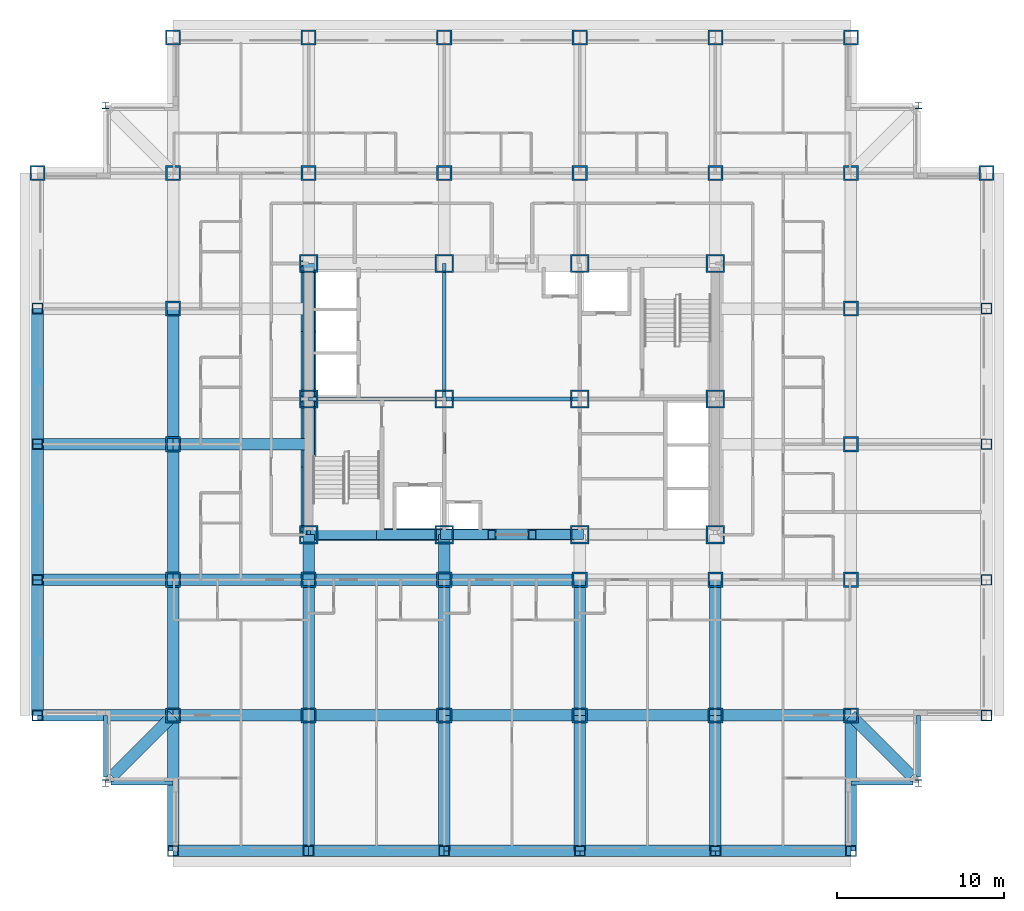
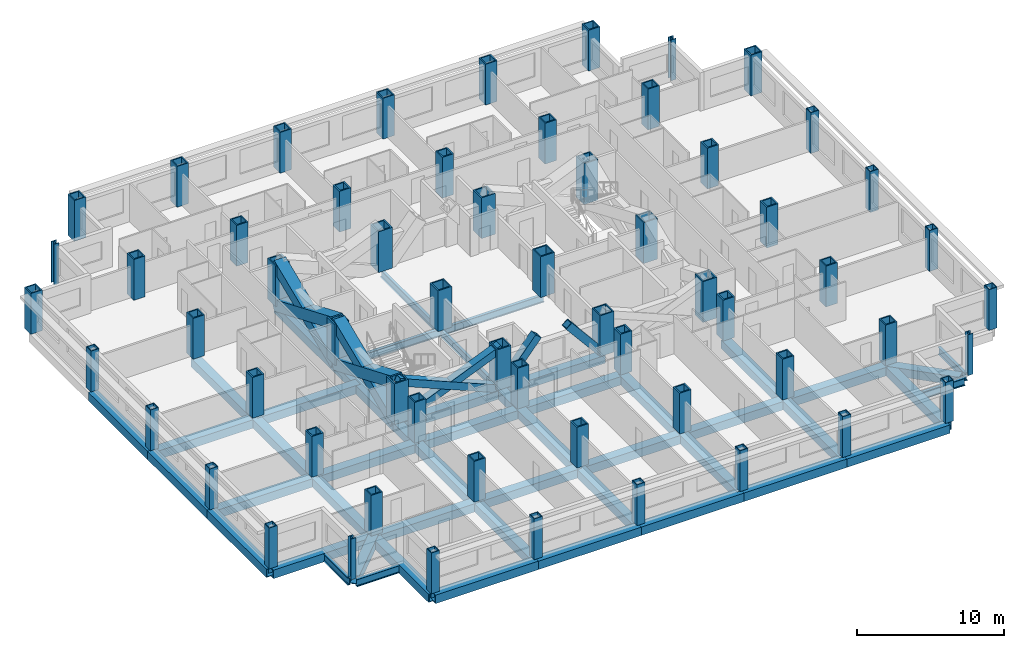
# One storey, part 1 of 12: 60 columns, 49 beams, 8 members.
"""IFC4 building model written with IfcOpenShell, lengths in metres."""

from ifc_helpers import new_model, si_unit, direction, frame, origin, origin_2d, place, context, subcontext, project, spatial, hollow_rectangle, i_section, extrude, material, material_profile, profile_set, type_object, element, save


model = new_model("IFC4")

# Units and contexts
model_context = context("Model", 3, precision=1e-05, world=origin(), true_north=direction((0.0, 1.0)))
body_context = subcontext(model_context, "Body", "Model", "MODEL_VIEW")
ifc_project = project(units=[si_unit("LENGTHUNIT", "METRE"), si_unit("AREAUNIT", "SQUARE_METRE"), si_unit("VOLUMEUNIT", "CUBIC_METRE"), si_unit("PLANEANGLEUNIT", "RADIAN"), si_unit("MASSUNIT", "GRAM", prefix="KILO")], contexts=[model_context])

# Site, building, storey
site_placement = place(None, origin())
site = spatial("IfcSite", under=ifc_project, at=site_placement, CompositionType="ELEMENT")
building_placement = place(site_placement, origin())
building = spatial("IfcBuilding", under=site, at=building_placement, Name="Kopane Lantern Tower", CompositionType="ELEMENT")
storey_placement = place(building_placement, frame((0.0, 0.0, 103.39990234375)))
storey = spatial("IfcBuildingStorey", under=building, at=storey_placement, Name="L25", CompositionType="ELEMENT", Elevation=103.39990234375)

# Columns
ifc_material_1 = material(Name="Steel S355JR", Category="steel")
ifc_material_profile_1 = material_profile(ifc_material_1, hollow_rectangle(XDim=1.10009765625, YDim=1.10009765625, WallThickness=0.10009765625, at=origin_2d()), Name="BOX 1100x1100x100")
ifc_profile_set_1 = profile_set([ifc_material_profile_1], Name="Steel S355JR")
column_type_1 = type_object("IfcColumnType", Name="COLUMN BOX 1100x1100x100", PredefinedType="COLUMN", material=ifc_profile_set_1)
for number, where, z_axis, x_axis, name in (
    (1, (16.199951171875, 24.300048828125, 0.0), (0.0, 0.0, 1.0), (1.0, 0.0, 0.0), "Column 4/E L25"),
    (2, (16.199951171875, 32.39990234375, 0.0), (0.0, 0.0, 1.0), (1.0, 0.0, 0.0), "Column 4/F L25"),
    (3, (16.199951171875, 40.5, 0.0), (0.0, 0.0, 1.0), (1.0, 0.0, 0.0), "Column 4/G L25"),
    (4, (24.300048828125, 24.300048828125, 0.0), (0.0, 0.0, 1.0), (1.0, 0.0, 0.0), "Column 5/E L25"),
    (5, (24.300048828125, 32.39990234375, 0.0), (0.0, 0.0, 1.0), (1.0, 0.0, 0.0), "Column 5/F L25"),
    (6, (24.300048828125, 40.5, 0.0), (0.0, 0.0, 1.0), (1.0, 0.0, 0.0), "Column 5/G L25"),
    (7, (32.39990234375, 24.300048828125, 0.0), (0.0, 0.0, 1.0), (1.0, 0.0, 0.0), "Column 6/E L25"),
    (8, (32.39990234375, 32.39990234375, 0.0), (0.0, 0.0, 1.0), (1.0, 0.0, 0.0), "Column 6/F L25"),
    (9, (32.39990234375, 40.5, 0.0), (0.0, 0.0, 1.0), (1.0, 0.0, 0.0), "Column 6/G L25"),
    (10, (40.5, 24.300048828125, 0.0), (0.0, 0.0, 1.0), (1.0, 0.0, 0.0), "Column 7/E L25"),
    (11, (40.5, 32.39990234375, 0.0), (0.0, 0.0, 1.0), (1.0, 0.0, 0.0), "Column 7/F L25"),
    (12, (40.5, 40.5, 0.0), (0.0, 0.0, 1.0), (1.0, 0.0, 0.0), "Column 7/G L25"),
):
    element("IfcColumn", number, at=place(storey_placement, frame(where, z_axis=z_axis, x_axis=x_axis)), inside=storey, type_object=column_type_1, Name=name, PredefinedType="COLUMN", context=body_context, shape_type="SweptSolid", body=[
        extrude(hollow_rectangle(XDim=1.10009765625, YDim=1.10009765625, WallThickness=0.10009765625, at=origin_2d()), origin(), (0.0, 0.0, 1.0), 3.400146484375),
    ])
ifc_material_2 = material(Name="Steel S355JR", Category="steel")
ifc_material_profile_2 = material_profile(ifc_material_2, hollow_rectangle(XDim=0.64990234375, YDim=0.64990234375, WallThickness=0.054931640625, at=origin_2d()), Name="BOX 650x650x55")
ifc_profile_set_2 = profile_set([ifc_material_profile_2], Name="Steel S355JR")
column_type_2 = type_object("IfcColumnType", Name="COLUMN BOX 650x650x55", PredefinedType="COLUMN", material=ifc_profile_set_2)
for number, where, z_axis, x_axis, name in (
    (13, (0.0, 13.5, 0.0), (0.0, 0.0, 1.0), (1.0, 0.0, 0.0), "Column 2/P2 L25"),
    (14, (0.0, 21.60009765625, 0.0), (0.0, 0.0, 1.0), (1.0, 0.0, 0.0), "Column 2/P3 L25"),
    (15, (0.0, 29.699951171875, 0.0), (0.0, 0.0, 1.0), (1.0, 0.0, 0.0), "Column 2/P4 L25"),
    (16, (0.0, 37.800048828125, 0.0), (0.0, 0.0, 1.0), (1.0, 0.0, 0.0), "Column 2/P5 L25"),
    (17, (8.10009765625, 5.39990234375, 0.0), (0.0, 0.0, 1.0), (1.0, 0.0, 0.0), "Column 3/P1 L25"),
    (18, (16.199951171875, 5.39990234375, 0.0), (0.0, 0.0, 1.0), (1.0, 0.0, 0.0), "Column 4/P1 L25"),
    (19, (24.300048828125, 5.39990234375, 0.0), (0.0, 0.0, 1.0), (1.0, 0.0, 0.0), "Column 5/P1 L25"),
    (20, (32.39990234375, 5.39990234375, 0.0), (0.0, 0.0, 1.0), (1.0, 0.0, 0.0), "Column 6/P1 L25"),
    (21, (40.5, 5.39990234375, 0.0), (0.0, 0.0, 1.0), (1.0, 0.0, 0.0), "Column 7/P1 L25"),
    (22, (48.60009765625, 5.39990234375, 0.0), (0.0, 0.0, 1.0), (1.0, 0.0, 0.0), "Column 8/P1 L25"),
    (23, (56.699951171875, 13.5, 0.0), (0.0, 0.0, 1.0), (1.0, 0.0, 0.0), "Column 9/P2 L25"),
    (24, (56.699951171875, 21.60009765625, 0.0), (0.0, 0.0, 1.0), (1.0, 0.0, 0.0), "Column 9/P3 L25"),
    (25, (56.699951171875, 29.699951171875, 0.0), (0.0, 0.0, 1.0), (1.0, 0.0, 0.0), "Column 9/P4 L25"),
    (26, (56.699951171875, 37.800048828125, 0.0), (0.0, 0.0, 1.0), (1.0, 0.0, 0.0), "Column 9/P5 L25"),
):
    element("IfcColumn", number, at=place(storey_placement, frame(where, z_axis=z_axis, x_axis=x_axis)), inside=storey, type_object=column_type_2, Name=name, PredefinedType="COLUMN", context=body_context, shape_type="SweptSolid", body=[
        extrude(hollow_rectangle(XDim=0.64990234375, YDim=0.64990234375, WallThickness=0.054931640625, at=origin_2d()), origin(), (0.0, 0.0, 1.0), 3.400146484375),
    ])
ifc_material_3 = material(Name="Steel S355JR", Category="steel")
ifc_material_profile_3 = material_profile(ifc_material_3, hollow_rectangle(XDim=0.89990234375, YDim=0.89990234375, WallThickness=0.10009765625, at=origin_2d()), Name="BOX 900x900x100")
ifc_profile_set_3 = profile_set([ifc_material_profile_3], Name="Steel S355JR")
column_type_3 = type_object("IfcColumnType", Name="COLUMN BOX 900x900x100", PredefinedType="COLUMN", material=ifc_profile_set_3)
for number, where, z_axis, x_axis, name in (
    (27, (8.10009765625, 13.5, 0.0), (0.0, 0.0, 1.0), (1.0, 0.0, 0.0), "Column 3/P2 L25"),
    (28, (8.10009765625, 21.60009765625, 0.0), (0.0, 0.0, 1.0), (1.0, 0.0, 0.0), "Column 3/P3 L25"),
    (29, (8.10009765625, 29.699951171875, 0.0), (0.0, 0.0, 1.0), (1.0, 0.0, 0.0), "Column 3/P4 L25"),
    (30, (8.10009765625, 37.800048828125, 0.0), (0.0, 0.0, 1.0), (1.0, 0.0, 0.0), "Column 3/P5 L25"),
    (31, (8.10009765625, 45.89990234375, 0.0), (0.0, 0.0, 1.0), (1.0, 0.0, 0.0), "Column 3/P6 L25"),
    (32, (16.199951171875, 13.5, 0.0), (0.0, 0.0, 1.0), (1.0, 0.0, 0.0), "Column 4/P2 L25"),
    (33, (16.199951171875, 21.60009765625, 0.0), (0.0, 0.0, 1.0), (1.0, 0.0, 0.0), "Column 4/P3 L25"),
    (34, (16.199951171875, 45.89990234375, 0.0), (0.0, 0.0, 1.0), (1.0, 0.0, 0.0), "Column 4/P6 L25"),
    (35, (24.300048828125, 13.5, 0.0), (0.0, 0.0, 1.0), (1.0, 0.0, 0.0), "Column 5/P2 L25"),
    (36, (24.300048828125, 21.60009765625, 0.0), (0.0, 0.0, 1.0), (1.0, 0.0, 0.0), "Column 5/P3 L25"),
    (37, (24.300048828125, 45.89990234375, 0.0), (0.0, 0.0, 1.0), (1.0, 0.0, 0.0), "Column 5/P6 L25"),
    (38, (32.39990234375, 13.5, 0.0), (0.0, 0.0, 1.0), (1.0, 0.0, 0.0), "Column 6/P2 L25"),
    (39, (32.39990234375, 21.60009765625, 0.0), (0.0, 0.0, 1.0), (1.0, 0.0, 0.0), "Column 6/P3 L25"),
    (40, (32.39990234375, 45.89990234375, 0.0), (0.0, 0.0, 1.0), (1.0, 0.0, 0.0), "Column 6/P6 L25"),
    (41, (40.5, 13.5, 0.0), (0.0, 0.0, 1.0), (1.0, 0.0, 0.0), "Column 7/P2 L25"),
    (42, (40.5, 21.60009765625, 0.0), (0.0, 0.0, 1.0), (1.0, 0.0, 0.0), "Column 7/P3 L25"),
    (43, (40.5, 45.89990234375, 0.0), (0.0, 0.0, 1.0), (1.0, 0.0, 0.0), "Column 7/P6 L25"),
    (44, (48.60009765625, 13.5, 0.0), (0.0, 0.0, 1.0), (1.0, 0.0, 0.0), "Column 8/P2 L25"),
    (45, (48.60009765625, 21.60009765625, 0.0), (0.0, 0.0, 1.0), (1.0, 0.0, 0.0), "Column 8/P3 L25"),
    (46, (48.60009765625, 29.699951171875, 0.0), (0.0, 0.0, 1.0), (1.0, 0.0, 0.0), "Column 8/P4 L25"),
    (47, (48.60009765625, 37.800048828125, 0.0), (0.0, 0.0, 1.0), (1.0, 0.0, 0.0), "Column 8/P5 L25"),
    (48, (48.60009765625, 45.89990234375, 0.0), (0.0, 0.0, 1.0), (1.0, 0.0, 0.0), "Column 8/P6 L25"),
):
    element("IfcColumn", number, at=place(storey_placement, frame(where, z_axis=z_axis, x_axis=x_axis)), inside=storey, type_object=column_type_3, Name=name, PredefinedType="COLUMN", context=body_context, shape_type="SweptSolid", body=[
        extrude(hollow_rectangle(XDim=0.89990234375, YDim=0.89990234375, WallThickness=0.10009765625, at=origin_2d()), origin(), (0.0, 0.0, 1.0), 3.400146484375),
    ])
ifc_material_4 = material(Name="Steel S355JR", Category="steel")
ifc_material_profile_4 = material_profile(ifc_material_4, hollow_rectangle(XDim=0.89990234375, YDim=0.89990234375, WallThickness=0.090087890625, at=origin_2d()), Name="BOX 900x900x90")
ifc_profile_set_4 = profile_set([ifc_material_profile_4], Name="Steel S355JR")
column_type_4 = type_object("IfcColumnType", Name="COLUMN BOX 900x900x90", PredefinedType="COLUMN", material=ifc_profile_set_4)
for number, where, z_axis, x_axis, name in (
    (49, (0.0, 45.89990234375, 0.0), (0.0, 0.0, 1.0), (1.0, 0.0, 0.0), "Column 2/P6 L25"),
    (50, (8.10009765625, 54.0, 0.0), (0.0, 0.0, 1.0), (1.0, 0.0, 0.0), "Column 3/P7 L25"),
    (51, (16.199951171875, 54.0, 0.0), (0.0, 0.0, 1.0), (1.0, 0.0, 0.0), "Column 4/P7 L25"),
    (52, (24.300048828125, 54.0, 0.0), (0.0, 0.0, 1.0), (1.0, 0.0, 0.0), "Column 5/P7 L25"),
    (53, (32.39990234375, 54.0, 0.0), (0.0, 0.0, 1.0), (1.0, 0.0, 0.0), "Column 6/P7 L25"),
    (54, (40.5, 54.0, 0.0), (0.0, 0.0, 1.0), (1.0, 0.0, 0.0), "Column 7/P7 L25"),
    (55, (48.60009765625, 54.0, 0.0), (0.0, 0.0, 1.0), (1.0, 0.0, 0.0), "Column 8/P7 L25"),
    (56, (56.699951171875, 45.89990234375, 0.0), (0.0, 0.0, 1.0), (1.0, 0.0, 0.0), "Column 9/P6 L25"),
):
    element("IfcColumn", number, at=place(storey_placement, frame(where, z_axis=z_axis, x_axis=x_axis)), inside=storey, type_object=column_type_4, Name=name, PredefinedType="COLUMN", context=body_context, shape_type="SweptSolid", body=[
        extrude(hollow_rectangle(XDim=0.89990234375, YDim=0.89990234375, WallThickness=0.090087890625, at=origin_2d()), origin(), (0.0, 0.0, 1.0), 3.400146484375),
    ])
ifc_material_5 = material(Name="Steel S355JR", Category="steel")
ifc_material_profile_5 = material_profile(ifc_material_5, i_section(OverallWidth=0.406982421875, OverallDepth=0.4189453125, WebThickness=0.030517578125, FlangeThickness=0.04931640625, FilletRadius=0.01513671875, at=origin_2d()), Name="UC 356x406x393")
ifc_profile_set_5 = profile_set([ifc_material_profile_5], Name="Steel S355JR")
column_type_5 = type_object("IfcColumnType", Name="COLUMN UC 356x406x393", PredefinedType="COLUMN", material=ifc_profile_set_5)
for number, where, z_axis, x_axis, name in (
    (57, (4.050048828125, 9.449951171875, 0.0), (0.0, 0.0, 1.0), (1.0, 0.0, 0.0), "Column 4.05/9.45 L25"),
    (58, (4.050048828125, 49.949951171875, 0.0), (0.0, 0.0, 1.0), (1.0, 0.0, 0.0), "Column 4.05/49.95 L25"),
    (59, (52.64990234375, 9.449951171875, 0.0), (0.0, 0.0, 1.0), (1.0, 0.0, 0.0), "Column 52.65/9.45 L25"),
    (60, (52.64990234375, 49.949951171875, 0.0), (0.0, 0.0, 1.0), (1.0, 0.0, 0.0), "Column 52.65/49.95 L25"),
):
    element("IfcColumn", number, at=place(storey_placement, frame(where, z_axis=z_axis, x_axis=x_axis)), inside=storey, type_object=column_type_5, Name=name, PredefinedType="COLUMN", context=body_context, shape_type="SweptSolid", body=[
        extrude(i_section(OverallWidth=0.406982421875, OverallDepth=0.4189453125, WebThickness=0.030517578125, FlangeThickness=0.04931640625, FilletRadius=0.01513671875, at=origin_2d()), origin(), (0.0, 0.0, 1.0), 3.400146484375),
    ])

# Members
ifc_material_6 = material(Name="Steel S355JR", Category="steel")
ifc_material_profile_6 = material_profile(ifc_material_6, hollow_rectangle(XDim=0.60009765625, YDim=0.60009765625, WallThickness=0.050048828125, at=origin_2d()), Name="BOX 600x600x50")
ifc_profile_set_6 = profile_set([ifc_material_profile_6], Name="Steel S355JR")
member_type_1 = type_object("IfcMemberType", Name="BRACE BOX 600x600x50", PredefinedType="BRACE", material=ifc_profile_set_6)
for number, where, z_axis, x_axis, name in (
    (61, (16.199951171875, 24.300048828125, -0.2099609375), (0.92205908274, 0.0, 0.387049154419), (0.0, 1.0, 0.0), "Core brace L25"),
    (62, (24.300048828125, 24.300048828125, -0.2099609375), (-0.92205908274, 0.0, 0.387049154419), (0.0, -1.0, 0.0), "Core brace L25"),
):
    element("IfcMember", number, at=place(storey_placement, frame(where, z_axis=z_axis, x_axis=x_axis)), inside=storey, type_object=member_type_1, Name=name, PredefinedType="BRACE", context=body_context, shape_type="SweptSolid", body=[
        extrude(hollow_rectangle(XDim=0.60009765625, YDim=0.60009765625, WallThickness=0.050048828125, at=origin_2d()), origin(), (0.0, 0.0, 1.0), 8.784912109375),
    ])
for number, where, z_axis, x_axis, name in (
    (63, (24.300048828125, 24.300048828125, -0.2099609375), (0.642363165114, 0.0, 0.766400394118), (0.0, 1.0, 0.0), "Core brace L25"),
    (64, (32.39990234375, 24.300048828125, -0.2099609375), (-0.642363165114, 0.0, 0.766400394118), (0.0, -1.0, 0.0), "Core brace L25"),
):
    element("IfcMember", number, at=place(storey_placement, frame(where, z_axis=z_axis, x_axis=x_axis)), inside=storey, type_object=member_type_1, Name=name, PredefinedType="BRACE", context=body_context, shape_type="SweptSolid", body=[
        extrude(hollow_rectangle(XDim=0.60009765625, YDim=0.60009765625, WallThickness=0.050048828125, at=origin_2d()), origin(), (0.0, 0.0, 1.0), 4.4365234375),
    ])
ifc_material_7 = material(Name="Steel S355JR", Category="steel")
ifc_material_profile_7 = material_profile(ifc_material_7, hollow_rectangle(XDim=0.89990234375, YDim=0.89990234375, WallThickness=0.090087890625, at=origin_2d()), Name="BOX 900x900x90")
ifc_profile_set_7 = profile_set([ifc_material_profile_7], Name="Steel S355JR")
member_type_2 = type_object("IfcMemberType", Name="BRACE BOX 900x900x90", PredefinedType="BRACE", material=ifc_profile_set_7)
for number, where, z_axis, x_axis, name in (
    (65, (16.199951171875, 24.300048828125, -0.2099609375), (0.0, 0.92205491925, 0.387059072864), (-1.0, 0.0, 0.0), "Core brace L25"),
    (66, (16.199951171875, 32.39990234375, -0.2099609375), (0.0, -0.92205491925, 0.387059072864), (1.0, 0.0, 0.0), "Core brace L25"),
):
    element("IfcMember", number, at=place(storey_placement, frame(where, z_axis=z_axis, x_axis=x_axis)), inside=storey, type_object=member_type_2, Name=name, PredefinedType="BRACE", context=body_context, shape_type="SweptSolid", body=[
        extrude(hollow_rectangle(XDim=0.89990234375, YDim=0.89990234375, WallThickness=0.090087890625, at=origin_2d()), origin(), (0.0, 0.0, 1.0), 8.78466796875),
    ])
for number, where, z_axis, x_axis, name in (
    (67, (16.199951171875, 32.39990234375, -0.2099609375), (0.0, 0.92205908274, 0.387049154419), (-1.0, 0.0, 0.0), "Core brace L25"),
    (68, (16.199951171875, 40.5, -0.2099609375), (0.0, -0.92205908274, 0.387049154419), (1.0, 0.0, 0.0), "Core brace L25"),
):
    element("IfcMember", number, at=place(storey_placement, frame(where, z_axis=z_axis, x_axis=x_axis)), inside=storey, type_object=member_type_2, Name=name, PredefinedType="BRACE", context=body_context, shape_type="SweptSolid", body=[
        extrude(hollow_rectangle(XDim=0.89990234375, YDim=0.89990234375, WallThickness=0.090087890625, at=origin_2d()), origin(), (0.0, 0.0, 1.0), 8.784912109375),
    ])

# Beams
ifc_material_8 = material(Name="Steel S355JR", Category="steel")
ifc_material_profile_8 = material_profile(ifc_material_8, i_section(OverallWidth=0.22900390625, OverallDepth=0.6123046875, WebThickness=0.011962890625, FlangeThickness=0.01953125, FilletRadius=0.0126953125, at=origin_2d()), Name="UB 610x229x125")
ifc_profile_set_8 = profile_set([ifc_material_profile_8], Name="Steel S355JR")
beam_type_1 = type_object("IfcBeamType", Name="CORE BEAM UB 610x229x125", PredefinedType="BEAM", material=ifc_profile_set_8)
beam_1_placement = place(storey_placement, frame((16.199951171875, 32.39990234375, -0.51611328125), z_axis=(1.0, 0.0, 0.0), x_axis=(0.0, 1.0, 0.0)))
element("IfcBeam", 69, at=beam_1_placement, inside=storey, type_object=beam_type_1, Name="Core Beam L25", PredefinedType="BEAM", context=body_context, shape_type="SweptSolid", body=[
    extrude(i_section(OverallWidth=0.22900390625, OverallDepth=0.6123046875, WebThickness=0.011962890625, FlangeThickness=0.01953125, FilletRadius=0.0126953125, at=origin_2d()), origin(), (0.0, 0.0, 1.0), 8.10009765625),
])
beam_2_placement = place(storey_placement, frame((24.300048828125, 24.300048828125, -0.51611328125), z_axis=(0.0, 1.0, 0.0), x_axis=(-1.0, 0.0, 0.0)))
element("IfcBeam", 70, at=beam_2_placement, inside=storey, type_object=beam_type_1, Name="Core Beam L25", PredefinedType="BEAM", context=body_context, shape_type="SweptSolid", body=[
    extrude(i_section(OverallWidth=0.22900390625, OverallDepth=0.6123046875, WebThickness=0.011962890625, FlangeThickness=0.01953125, FilletRadius=0.0126953125, at=origin_2d()), origin(), (0.0, 0.0, 1.0), 8.099853515625),
])
beam_3_placement = place(storey_placement, frame((24.300048828125, 32.39990234375, -0.51611328125), z_axis=(0.0, 1.0, 0.0), x_axis=(-1.0, 0.0, 0.0)))
element("IfcBeam", 71, at=beam_3_placement, inside=storey, type_object=beam_type_1, Name="Core Beam L25", PredefinedType="BEAM", context=body_context, shape_type="SweptSolid", body=[
    extrude(i_section(OverallWidth=0.22900390625, OverallDepth=0.6123046875, WebThickness=0.011962890625, FlangeThickness=0.01953125, FilletRadius=0.0126953125, at=origin_2d()), origin(), (0.0, 0.0, 1.0), 8.10009765625),
])
beam_4_placement = place(storey_placement, frame((24.300048828125, 32.39990234375, -0.51611328125), z_axis=(1.0, 0.0, 0.0), x_axis=(0.0, 1.0, 0.0)))
element("IfcBeam", 72, at=beam_4_placement, inside=storey, type_object=beam_type_1, Name="Core Beam L25", PredefinedType="BEAM", context=body_context, shape_type="SweptSolid", body=[
    extrude(i_section(OverallWidth=0.22900390625, OverallDepth=0.6123046875, WebThickness=0.011962890625, FlangeThickness=0.01953125, FilletRadius=0.0126953125, at=origin_2d()), origin(), (0.0, 0.0, 1.0), 8.099853515625),
])
ifc_material_9 = material(Name="Steel S355JR", Category="steel")
ifc_material_profile_9 = material_profile(ifc_material_9, hollow_rectangle(XDim=0.699951171875, YDim=0.699951171875, WallThickness=0.06005859375, at=origin_2d()), Name="BOX 700x700x60")
ifc_profile_set_9 = profile_set([ifc_material_profile_9], Name="Steel S355JR")
beam_type_2 = type_object("IfcBeamType", Name="CORNER TIE BEAM BOX 700x700x60", PredefinedType="BEAM", material=ifc_profile_set_9)
beam_5_placement = place(storey_placement, frame((4.447509765625, 9.847412109375, -0.559814453125), z_axis=(0.707106781187, 0.707106781187, 0.0), x_axis=(-0.707106781187, 0.707106781187, 0.0)))
element("IfcBeam", 73, at=beam_5_placement, inside=storey, type_object=beam_type_2, Name="Corner Tie Beam L25", PredefinedType="BEAM", context=body_context, shape_type="SweptSolid", body=[
    extrude(hollow_rectangle(XDim=0.699951171875, YDim=0.699951171875, WallThickness=0.06005859375, at=origin_2d()), origin(), (0.0, 0.0, 1.0), 5.16552734375),
])
beam_6_placement = place(storey_placement, frame((52.25244140625, 9.847412109375, -0.559814453125), z_axis=(-0.707083148333, 0.70713041325, 0.0), x_axis=(-0.70713041325, -0.707083148333, 0.0)))
element("IfcBeam", 74, at=beam_6_placement, inside=storey, type_object=beam_type_2, Name="Corner Tie Beam L25", PredefinedType="BEAM", context=body_context, shape_type="SweptSolid", body=[
    extrude(hollow_rectangle(XDim=0.699951171875, YDim=0.699951171875, WallThickness=0.06005859375, at=origin_2d()), origin(), (0.0, 0.0, 1.0), 5.165283203125),
])
ifc_material_10 = material(Name="Steel S355JR", Category="steel")
ifc_material_profile_10 = material_profile(ifc_material_10, i_section(OverallWidth=0.22900390625, OverallDepth=0.6123046875, WebThickness=0.011962890625, FlangeThickness=0.01953125, FilletRadius=0.0126953125, at=origin_2d()), Name="UB 610x229x125")
ifc_profile_set_10 = profile_set([ifc_material_profile_10], Name="Steel S355JR")
beam_type_3 = type_object("IfcBeamType", Name="EDGE BEAM UB 610x229x125", PredefinedType="BEAM", material=ifc_profile_set_10)
beam_7_placement = place(storey_placement, frame((4.050048828125, 9.800048828125, -0.51611328125), z_axis=(0.0, 1.0, 0.0), x_axis=(-1.0, 0.0, 0.0)))
element("IfcBeam", 75, at=beam_7_placement, inside=storey, type_object=beam_type_3, Name="Edge Beam L25", PredefinedType="BEAM", context=body_context, shape_type="SweptSolid", body=[
    extrude(i_section(OverallWidth=0.22900390625, OverallDepth=0.6123046875, WebThickness=0.011962890625, FlangeThickness=0.01953125, FilletRadius=0.0126953125, at=origin_2d()), origin(), (0.0, 0.0, 1.0), 3.699951171875),
])
beam_8_placement = place(storey_placement, frame((4.39990234375, 9.449951171875, -0.51611328125), z_axis=(1.0, 0.0, 0.0), x_axis=(0.0, 1.0, 0.0)))
element("IfcBeam", 76, at=beam_8_placement, inside=storey, type_object=beam_type_3, Name="Edge Beam L25", PredefinedType="BEAM", context=body_context, shape_type="SweptSolid", body=[
    extrude(i_section(OverallWidth=0.22900390625, OverallDepth=0.6123046875, WebThickness=0.011962890625, FlangeThickness=0.01953125, FilletRadius=0.0126953125, at=origin_2d()), origin(), (0.0, 0.0, 1.0), 3.7001953125),
])
for number, where, z_axis, x_axis, name in (
    (77, (52.300048828125, 9.449951171875, -0.51611328125), (-1.0, 0.0, 0.0), (0.0, -1.0, 0.0), "Edge Beam L25"),
    (78, (52.64990234375, 9.800048828125, -0.51611328125), (0.0, 1.0, 0.0), (-1.0, 0.0, 0.0), "Edge Beam L25"),
):
    element("IfcBeam", number, at=place(storey_placement, frame(where, z_axis=z_axis, x_axis=x_axis)), inside=storey, type_object=beam_type_3, Name=name, PredefinedType="BEAM", context=body_context, shape_type="SweptSolid", body=[
        extrude(i_section(OverallWidth=0.22900390625, OverallDepth=0.6123046875, WebThickness=0.011962890625, FlangeThickness=0.01953125, FilletRadius=0.0126953125, at=origin_2d()), origin(), (0.0, 0.0, 1.0), 3.699951171875),
    ])
ifc_material_11 = material(Name="Steel S355JR", Category="steel")
ifc_material_profile_11 = material_profile(ifc_material_11, hollow_rectangle(XDim=0.699951171875, YDim=0.699951171875, WallThickness=0.06005859375, at=origin_2d()), Name="BOX 700x700x60")
ifc_profile_set_11 = profile_set([ifc_material_profile_11], Name="Steel S355JR")
beam_type_4 = type_object("IfcBeamType", Name="GIRDER BOX 700x700x60", PredefinedType="BEAM", material=ifc_profile_set_11)
for number, where, z_axis, x_axis, name in (
    (79, (0.0, 13.5, -0.559814453125), (0.0, 1.0, 0.0), (-1.0, 0.0, 0.0), "Girder L25"),
    (80, (0.0, 13.5, -0.559814453125), (1.0, 0.0, 0.0), (0.0, 1.0, 0.0), "Girder L25"),
):
    element("IfcBeam", number, at=place(storey_placement, frame(where, z_axis=z_axis, x_axis=x_axis)), inside=storey, type_object=beam_type_4, Name=name, PredefinedType="BEAM", context=body_context, shape_type="SweptSolid", body=[
        extrude(hollow_rectangle(XDim=0.699951171875, YDim=0.699951171875, WallThickness=0.06005859375, at=origin_2d()), origin(), (0.0, 0.0, 1.0), 8.10009765625),
    ])
beam_9_placement = place(storey_placement, frame((0.0, 21.60009765625, -0.559814453125), z_axis=(0.0, 1.0, 0.0), x_axis=(-1.0, 0.0, 0.0)))
element("IfcBeam", 81, at=beam_9_placement, inside=storey, type_object=beam_type_4, Name="Girder L25", PredefinedType="BEAM", context=body_context, shape_type="SweptSolid", body=[
    extrude(hollow_rectangle(XDim=0.699951171875, YDim=0.699951171875, WallThickness=0.06005859375, at=origin_2d()), origin(), (0.0, 0.0, 1.0), 8.099853515625),
])
for number, where, z_axis, x_axis, name in (
    (82, (0.0, 21.60009765625, -0.559814453125), (1.0, 0.0, 0.0), (0.0, 1.0, 0.0), "Girder L25"),
    (83, (0.0, 29.699951171875, -0.559814453125), (0.0, 1.0, 0.0), (-1.0, 0.0, 0.0), "Girder L25"),
    (84, (0.0, 29.699951171875, -0.559814453125), (1.0, 0.0, 0.0), (0.0, 1.0, 0.0), "Girder L25"),
    (85, (8.10009765625, 5.39990234375, -0.559814453125), (0.0, 1.0, 0.0), (-1.0, 0.0, 0.0), "Girder L25"),
):
    element("IfcBeam", number, at=place(storey_placement, frame(where, z_axis=z_axis, x_axis=x_axis)), inside=storey, type_object=beam_type_4, Name=name, PredefinedType="BEAM", context=body_context, shape_type="SweptSolid", body=[
        extrude(hollow_rectangle(XDim=0.699951171875, YDim=0.699951171875, WallThickness=0.06005859375, at=origin_2d()), origin(), (0.0, 0.0, 1.0), 8.10009765625),
    ])
beam_10_placement = place(storey_placement, frame((8.10009765625, 5.39990234375, -0.559814453125), z_axis=(1.0, 0.0, 0.0), x_axis=(0.0, 1.0, 0.0)))
element("IfcBeam", 86, at=beam_10_placement, inside=storey, type_object=beam_type_4, Name="Girder L25", PredefinedType="BEAM", context=body_context, shape_type="SweptSolid", body=[
    extrude(hollow_rectangle(XDim=0.699951171875, YDim=0.699951171875, WallThickness=0.06005859375, at=origin_2d()), origin(), (0.0, 0.0, 1.0), 8.099853515625),
])
beam_11_placement = place(storey_placement, frame((8.10009765625, 13.5, -0.559814453125), z_axis=(0.0, 1.0, 0.0), x_axis=(-1.0, 0.0, 0.0)))
element("IfcBeam", 87, at=beam_11_placement, inside=storey, type_object=beam_type_4, Name="Girder L25", PredefinedType="BEAM", context=body_context, shape_type="SweptSolid", body=[
    extrude(hollow_rectangle(XDim=0.699951171875, YDim=0.699951171875, WallThickness=0.06005859375, at=origin_2d()), origin(), (0.0, 0.0, 1.0), 8.10009765625),
])
for number, where, z_axis, x_axis, name in (
    (88, (8.10009765625, 13.5, -0.559814453125), (1.0, 0.0, 0.0), (0.0, 1.0, 0.0), "Girder L25"),
    (89, (8.10009765625, 21.60009765625, -0.559814453125), (0.0, 1.0, 0.0), (-1.0, 0.0, 0.0), "Girder L25"),
    (90, (8.10009765625, 21.60009765625, -0.559814453125), (1.0, 0.0, 0.0), (0.0, 1.0, 0.0), "Girder L25"),
):
    element("IfcBeam", number, at=place(storey_placement, frame(where, z_axis=z_axis, x_axis=x_axis)), inside=storey, type_object=beam_type_4, Name=name, PredefinedType="BEAM", context=body_context, shape_type="SweptSolid", body=[
        extrude(hollow_rectangle(XDim=0.699951171875, YDim=0.699951171875, WallThickness=0.06005859375, at=origin_2d()), origin(), (0.0, 0.0, 1.0), 8.099853515625),
    ])
beam_12_placement = place(storey_placement, frame((8.10009765625, 29.699951171875, -0.559814453125), z_axis=(0.0, 1.0, 0.0), x_axis=(-1.0, 0.0, 0.0)))
element("IfcBeam", 91, at=beam_12_placement, inside=storey, type_object=beam_type_4, Name="Girder L25", PredefinedType="BEAM", context=body_context, shape_type="SweptSolid", body=[
    extrude(hollow_rectangle(XDim=0.699951171875, YDim=0.699951171875, WallThickness=0.06005859375, at=origin_2d()), origin(), (0.0, 0.0, 1.0), 8.10009765625),
])
beam_13_placement = place(storey_placement, frame((8.10009765625, 29.699951171875, -0.559814453125), z_axis=(1.0, 0.0, 0.0), x_axis=(0.0, 1.0, 0.0)))
element("IfcBeam", 92, at=beam_13_placement, inside=storey, type_object=beam_type_4, Name="Girder L25", PredefinedType="BEAM", context=body_context, shape_type="SweptSolid", body=[
    extrude(hollow_rectangle(XDim=0.699951171875, YDim=0.699951171875, WallThickness=0.06005859375, at=origin_2d()), origin(), (0.0, 0.0, 1.0), 8.099853515625),
])
for number, where, z_axis, x_axis, name in (
    (93, (16.199951171875, 5.39990234375, -0.559814453125), (0.0, 1.0, 0.0), (-1.0, 0.0, 0.0), "Girder L25"),
    (94, (16.199951171875, 5.39990234375, -0.559814453125), (1.0, 0.0, 0.0), (0.0, 1.0, 0.0), "Girder L25"),
    (95, (16.199951171875, 13.5, -0.559814453125), (0.0, 1.0, 0.0), (-1.0, 0.0, 0.0), "Girder L25"),
    (96, (16.199951171875, 13.5, -0.559814453125), (1.0, 0.0, 0.0), (0.0, 1.0, 0.0), "Girder L25"),
):
    element("IfcBeam", number, at=place(storey_placement, frame(where, z_axis=z_axis, x_axis=x_axis)), inside=storey, type_object=beam_type_4, Name=name, PredefinedType="BEAM", context=body_context, shape_type="SweptSolid", body=[
        extrude(hollow_rectangle(XDim=0.699951171875, YDim=0.699951171875, WallThickness=0.06005859375, at=origin_2d()), origin(), (0.0, 0.0, 1.0), 8.10009765625),
    ])
beam_14_placement = place(storey_placement, frame((16.199951171875, 21.60009765625, -0.559814453125), z_axis=(0.0, 1.0, 0.0), x_axis=(-1.0, 0.0, 0.0)))
element("IfcBeam", 97, at=beam_14_placement, inside=storey, type_object=beam_type_4, Name="Girder L25", PredefinedType="BEAM", context=body_context, shape_type="SweptSolid", body=[
    extrude(hollow_rectangle(XDim=0.699951171875, YDim=0.699951171875, WallThickness=0.06005859375, at=origin_2d()), origin(), (0.0, 0.0, 1.0), 2.699951171875),
])
beam_15_placement = place(storey_placement, frame((16.199951171875, 21.60009765625, -0.559814453125), z_axis=(1.0, 0.0, 0.0), x_axis=(0.0, 1.0, 0.0)))
element("IfcBeam", 98, at=beam_15_placement, inside=storey, type_object=beam_type_4, Name="Girder L25", PredefinedType="BEAM", context=body_context, shape_type="SweptSolid", body=[
    extrude(hollow_rectangle(XDim=0.699951171875, YDim=0.699951171875, WallThickness=0.06005859375, at=origin_2d()), origin(), (0.0, 0.0, 1.0), 8.10009765625),
])
beam_16_placement = place(storey_placement, frame((16.199951171875, 24.300048828125, -0.559814453125), z_axis=(0.0, 1.0, 0.0), x_axis=(-1.0, 0.0, 0.0)))
element("IfcBeam", 99, at=beam_16_placement, inside=storey, type_object=beam_type_4, Name="Girder L25", PredefinedType="BEAM", context=body_context, shape_type="SweptSolid", body=[
    extrude(hollow_rectangle(XDim=0.699951171875, YDim=0.699951171875, WallThickness=0.06005859375, at=origin_2d()), origin(), (0.0, 0.0, 1.0), 8.099853515625),
])
for number, where, z_axis, x_axis, name in (
    (100, (16.199951171875, 24.300048828125, -0.559814453125), (1.0, 0.0, 0.0), (0.0, 1.0, 0.0), "Girder L25"),
    (101, (16.199951171875, 32.39990234375, -0.559814453125), (0.0, 1.0, 0.0), (-1.0, 0.0, 0.0), "Girder L25"),
    (102, (24.300048828125, 5.39990234375, -0.559814453125), (0.0, 1.0, 0.0), (-1.0, 0.0, 0.0), "Girder L25"),
):
    element("IfcBeam", number, at=place(storey_placement, frame(where, z_axis=z_axis, x_axis=x_axis)), inside=storey, type_object=beam_type_4, Name=name, PredefinedType="BEAM", context=body_context, shape_type="SweptSolid", body=[
        extrude(hollow_rectangle(XDim=0.699951171875, YDim=0.699951171875, WallThickness=0.06005859375, at=origin_2d()), origin(), (0.0, 0.0, 1.0), 8.10009765625),
    ])
beam_17_placement = place(storey_placement, frame((24.300048828125, 5.39990234375, -0.559814453125), z_axis=(1.0, 0.0, 0.0), x_axis=(0.0, 1.0, 0.0)))
element("IfcBeam", 103, at=beam_17_placement, inside=storey, type_object=beam_type_4, Name="Girder L25", PredefinedType="BEAM", context=body_context, shape_type="SweptSolid", body=[
    extrude(hollow_rectangle(XDim=0.699951171875, YDim=0.699951171875, WallThickness=0.06005859375, at=origin_2d()), origin(), (0.0, 0.0, 1.0), 8.099853515625),
])
beam_18_placement = place(storey_placement, frame((24.300048828125, 13.5, -0.559814453125), z_axis=(0.0, 1.0, 0.0), x_axis=(-1.0, 0.0, 0.0)))
element("IfcBeam", 104, at=beam_18_placement, inside=storey, type_object=beam_type_4, Name="Girder L25", PredefinedType="BEAM", context=body_context, shape_type="SweptSolid", body=[
    extrude(hollow_rectangle(XDim=0.699951171875, YDim=0.699951171875, WallThickness=0.06005859375, at=origin_2d()), origin(), (0.0, 0.0, 1.0), 8.10009765625),
])
beam_19_placement = place(storey_placement, frame((24.300048828125, 13.5, -0.559814453125), z_axis=(1.0, 0.0, 0.0), x_axis=(0.0, 1.0, 0.0)))
element("IfcBeam", 105, at=beam_19_placement, inside=storey, type_object=beam_type_4, Name="Girder L25", PredefinedType="BEAM", context=body_context, shape_type="SweptSolid", body=[
    extrude(hollow_rectangle(XDim=0.699951171875, YDim=0.699951171875, WallThickness=0.06005859375, at=origin_2d()), origin(), (0.0, 0.0, 1.0), 8.099853515625),
])
beam_20_placement = place(storey_placement, frame((24.300048828125, 21.60009765625, -0.559814453125), z_axis=(0.0, 1.0, 0.0), x_axis=(-1.0, 0.0, 0.0)))
element("IfcBeam", 106, at=beam_20_placement, inside=storey, type_object=beam_type_4, Name="Girder L25", PredefinedType="BEAM", context=body_context, shape_type="SweptSolid", body=[
    extrude(hollow_rectangle(XDim=0.699951171875, YDim=0.699951171875, WallThickness=0.06005859375, at=origin_2d()), origin(), (0.0, 0.0, 1.0), 2.699951171875),
])
beam_21_placement = place(storey_placement, frame((24.300048828125, 21.60009765625, -0.559814453125), z_axis=(1.0, 0.0, 0.0), x_axis=(0.0, 1.0, 0.0)))
element("IfcBeam", 107, at=beam_21_placement, inside=storey, type_object=beam_type_4, Name="Girder L25", PredefinedType="BEAM", context=body_context, shape_type="SweptSolid", body=[
    extrude(hollow_rectangle(XDim=0.699951171875, YDim=0.699951171875, WallThickness=0.06005859375, at=origin_2d()), origin(), (0.0, 0.0, 1.0), 8.099853515625),
])
for number, where, z_axis, x_axis, name in (
    (108, (32.39990234375, 5.39990234375, -0.559814453125), (0.0, 1.0, 0.0), (-1.0, 0.0, 0.0), "Girder L25"),
    (109, (32.39990234375, 5.39990234375, -0.559814453125), (1.0, 0.0, 0.0), (0.0, 1.0, 0.0), "Girder L25"),
    (110, (32.39990234375, 13.5, -0.559814453125), (0.0, 1.0, 0.0), (-1.0, 0.0, 0.0), "Girder L25"),
    (111, (32.39990234375, 13.5, -0.559814453125), (1.0, 0.0, 0.0), (0.0, 1.0, 0.0), "Girder L25"),
    (112, (40.5, 5.39990234375, -0.559814453125), (0.0, 1.0, 0.0), (-1.0, 0.0, 0.0), "Girder L25"),
    (113, (40.5, 5.39990234375, -0.559814453125), (1.0, 0.0, 0.0), (0.0, 1.0, 0.0), "Girder L25"),
    (114, (40.5, 13.5, -0.559814453125), (0.0, 1.0, 0.0), (-1.0, 0.0, 0.0), "Girder L25"),
    (115, (40.5, 13.5, -0.559814453125), (1.0, 0.0, 0.0), (0.0, 1.0, 0.0), "Girder L25"),
    (116, (48.60009765625, 5.39990234375, -0.559814453125), (0.0, 1.0, 0.0), (-1.0, 0.0, 0.0), "Girder L25"),
):
    element("IfcBeam", number, at=place(storey_placement, frame(where, z_axis=z_axis, x_axis=x_axis)), inside=storey, type_object=beam_type_4, Name=name, PredefinedType="BEAM", context=body_context, shape_type="SweptSolid", body=[
        extrude(hollow_rectangle(XDim=0.699951171875, YDim=0.699951171875, WallThickness=0.06005859375, at=origin_2d()), origin(), (0.0, 0.0, 1.0), 8.10009765625),
    ])
ifc_material_12 = material(Name="Steel S355JR", Category="steel")
ifc_material_profile_12 = material_profile(ifc_material_12, hollow_rectangle(XDim=0.64990234375, YDim=0.64990234375, WallThickness=0.070068359375, at=origin_2d()), Name="BOX 650x650x70")
ifc_profile_set_12 = profile_set([ifc_material_profile_12], Name="Steel S355JR")
beam_type_5 = type_object("IfcBeamType", Name="LINK BEAM BOX 650x650x70", PredefinedType="BEAM", material=ifc_profile_set_12)
beam_22_placement = place(storey_placement, frame((24.300048828125, 24.300048828125, -0.534912109375), z_axis=(1.0, 0.0, 0.0), x_axis=(0.0, 1.0, 0.0)))
element("IfcBeam", 117, at=beam_22_placement, inside=storey, type_object=beam_type_5, Name="Link Beam L25", PredefinedType="BEAM", context=body_context, shape_type="SweptSolid", body=[
    extrude(hollow_rectangle(XDim=0.64990234375, YDim=0.64990234375, WallThickness=0.070068359375, at=origin_2d()), origin(), (0.0, 0.0, 1.0), 8.099853515625),
])

save(model, "model.ifc")
